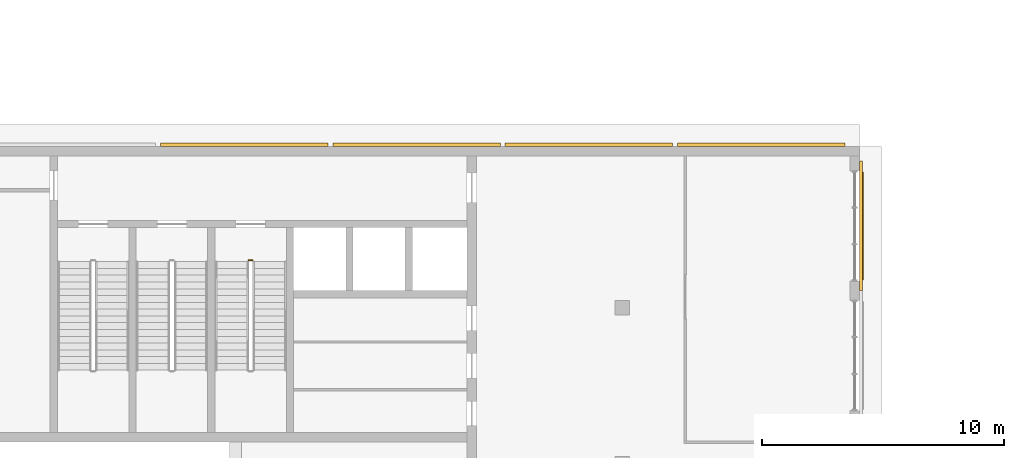
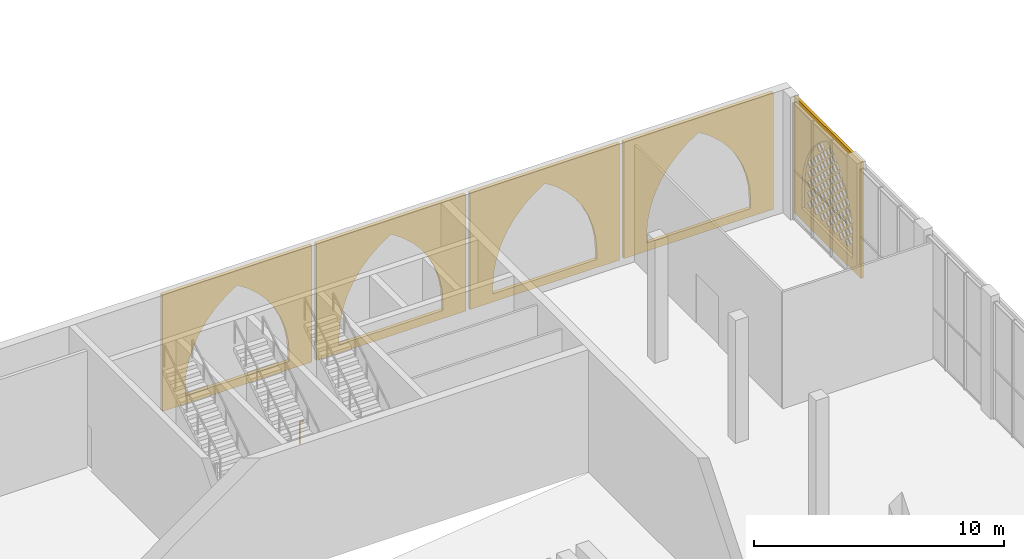
# One storey, part 49 of 74: 6 coverings, 1 railing.
"""IFC4 building model written with IfcOpenShell, lengths in metres."""

from ifc_helpers import new_model, si_unit, direction, frame, origin, origin_2d, place, context, subcontext, project, spatial, polyline, rectangle, outline, extrude, material, layer, layer_set, type_object, element, save


model = new_model("IFC4")

# Units and contexts
model_context = context("Model", 3, precision=1e-05, world=origin(), true_north=direction((0.0, 1.0)))
body_context = subcontext(model_context, "Body", "Model", "MODEL_VIEW")
ifc_project = project(units=[si_unit("LENGTHUNIT", "METRE"), si_unit("AREAUNIT", "SQUARE_METRE"), si_unit("VOLUMEUNIT", "CUBIC_METRE"), si_unit("PLANEANGLEUNIT", "RADIAN"), si_unit("MASSUNIT", "GRAM", prefix="KILO")], contexts=[model_context])

# Site, building, storey
site_placement = place(None, origin())
site = spatial("IfcSite", under=ifc_project, at=site_placement, CompositionType="ELEMENT")
building_placement = place(site_placement, origin())
building = spatial("IfcBuilding", under=site, at=building_placement, Name="Noorbagh Ring Tower", CompositionType="ELEMENT")
storey_placement = place(building_placement, frame((0.0, 0.0, 7.5)))
storey = spatial("IfcBuildingStorey", under=building, at=storey_placement, Name="L01", CompositionType="ELEMENT", Elevation=7.5)

# Coverings
ifc_material_1 = material(Name="Red sandstone cladding", Category="masonry")
ifc_layer_1 = layer(ifc_material_1, 0.14990234375)
ifc_layer_set_1 = layer_set([ifc_layer_1], Name="Red sandstone cladding")
covering_type_1 = type_object("IfcCoveringType", Name="STH-BLIND", PredefinedType="USERDEFINED", material=ifc_layer_set_1)
covering_1_placement = place(storey_placement, frame((-95.60009765625, 31.14990234375, 0.0), z_axis=(0.0, 1.0, 0.0), x_axis=(-1.0, 0.0, 0.0)))
element("IfcCovering", 1, at=covering_1_placement, inside=storey, type_object=covering_type_1, Name="Blind arch bay", ObjectType="ARCH", PredefinedType="USERDEFINED", context=body_context, shape_type="SweptSolid", body=[
    extrude(outline(polyline([(0.0, 0.0), (6.910888671875, 0.0), (6.910888671875, 5.699951171875), (0.0, 5.699951171875), (0.0, 0.0)]), holes=[polyline([(1.0556640625, 0.39990234375), (1.0556640625, 0.800048828125), (1.0966796875, 1.426513671875), (1.21923828125, 2.042236328125), (1.4208984375, 2.636962890625), (1.69873046875, 3.199951171875), (2.047607421875, 3.72216796875), (2.46142578125, 4.194091796875), (2.93359375, 4.608154296875), (3.45556640625, 4.956787109375), (3.977783203125, 4.608154296875), (4.44970703125, 4.194091796875), (4.86376953125, 3.72216796875), (5.21240234375, 3.199951171875), (5.490234375, 2.636962890625), (5.69189453125, 2.042236328125), (5.814453125, 1.426513671875), (5.855712890625, 0.800048828125), (5.855712890625, 0.39990234375), (1.0556640625, 0.39990234375)])]), origin(), (0.0, 0.0, -1.0), 0.14990234375),
])
for number, where, z_axis, x_axis, name in (
    (2, (-102.711181640625, 31.14990234375, 0.0), (0.0, 1.0, 0.0), (-1.0, 0.0, 0.0), "Blind arch bay"),
    (3, (-109.822265625, 31.14990234375, 0.0), (0.0, 1.0, 0.0), (-1.0, 0.0, 0.0), "Blind arch bay"),
    (4, (-116.933349609375, 31.14990234375, 0.0), (0.0, 1.0, 0.0), (-1.0, 0.0, 0.0), "Blind arch bay"),
):
    element("IfcCovering", number, at=place(storey_placement, frame(where, z_axis=z_axis, x_axis=x_axis)), inside=storey, type_object=covering_type_1, Name=name, ObjectType="ARCH", PredefinedType="USERDEFINED", context=body_context, shape_type="SweptSolid", body=[
        extrude(outline(polyline([(0.0, 0.0), (6.9111328125, 0.0), (6.9111328125, 5.699951171875), (0.0, 5.699951171875), (0.0, 0.0)]), holes=[polyline([(1.0556640625, 0.39990234375), (1.0556640625, 0.800048828125), (1.0966796875, 1.426513671875), (1.21923828125, 2.042236328125), (1.4208984375, 2.636962890625), (1.69873046875, 3.199951171875), (2.047607421875, 3.72216796875), (2.46142578125, 4.194091796875), (2.93359375, 4.608154296875), (3.45556640625, 4.956787109375), (3.977783203125, 4.608154296875), (4.44970703125, 4.194091796875), (4.86376953125, 3.72216796875), (5.21240234375, 3.199951171875), (5.490234375, 2.636962890625), (5.69189453125, 2.042236328125), (5.814453125, 1.426513671875), (5.855712890625, 0.800048828125), (5.855712890625, 0.39990234375), (1.0556640625, 0.39990234375)])]), origin(), (0.0, 0.0, -1.0), 0.14990234375),
    ])
ifc_material_2 = material(Name="Red sandstone jali", Category="masonry")
ifc_layer_2 = layer(ifc_material_2, 0.0400390625)
ifc_layer_set_2 = layer_set([ifc_layer_2], Name="Red sandstone jali")
covering_type_2 = type_object("IfcCoveringType", Name="STH-JALI", PredefinedType="USERDEFINED", material=ifc_layer_set_2)
covering_2_placement = place(storey_placement, frame((-94.840087890625, 25.5, 0.39990234375), z_axis=(1.0, 0.0, 0.0), x_axis=(0.0, 1.0, 0.0)))
element("IfcCovering", 5, at=covering_2_placement, inside=storey, type_object=covering_type_2, Name="Jali screen", ObjectType="SCREEN", PredefinedType="USERDEFINED", context=body_context, shape_type="SweptSolid", body=[
    extrude(outline(polyline([(0.0, 0.0), (4.449951171875, 0.0), (4.449951171875, 1.0), (4.411865234375, 1.580810546875), (4.29833984375, 2.15185546875), (4.111328125, 2.702880859375), (3.853759765625, 3.22509765625), (3.530517578125, 3.708984375), (3.146484375, 4.146728515625), (2.708984375, 4.530517578125), (2.22509765625, 4.85400390625), (1.740966796875, 4.530517578125), (1.303466796875, 4.146728515625), (0.919677734375, 3.708984375), (0.59619140625, 3.22509765625), (0.338623046875, 2.702880859375), (0.151611328125, 2.15185546875), (0.0380859375, 1.580810546875), (0.0, 1.0), (0.0, 0.0)]), holes=[polyline([(0.669921875, 0.552001953125), (0.85009765625, 0.371826171875), (1.030029296875, 0.552001953125), (0.85009765625, 0.73193359375), (0.669921875, 0.552001953125)]), polyline([(1.169921875, 0.552001953125), (1.35009765625, 0.371826171875), (1.530029296875, 0.552001953125), (1.35009765625, 0.73193359375), (1.169921875, 0.552001953125)]), polyline([(1.669921875, 0.552001953125), (1.85009765625, 0.371826171875), (2.030029296875, 0.552001953125), (1.85009765625, 0.73193359375), (1.669921875, 0.552001953125)]), polyline([(2.169921875, 0.552001953125), (2.35009765625, 0.371826171875), (2.530029296875, 0.552001953125), (2.35009765625, 0.73193359375), (2.169921875, 0.552001953125)]), polyline([(2.669921875, 0.552001953125), (2.85009765625, 0.371826171875), (3.030029296875, 0.552001953125), (2.85009765625, 0.73193359375), (2.669921875, 0.552001953125)]), polyline([(3.169921875, 0.552001953125), (3.35009765625, 0.371826171875), (3.530029296875, 0.552001953125), (3.35009765625, 0.73193359375), (3.169921875, 0.552001953125)]), polyline([(3.669921875, 0.552001953125), (3.85009765625, 0.371826171875), (4.030029296875, 0.552001953125), (3.85009765625, 0.73193359375), (3.669921875, 0.552001953125)]), polyline([(0.419921875, 0.802001953125), (0.60009765625, 0.621826171875), (0.780029296875, 0.802001953125), (0.60009765625, 0.98193359375), (0.419921875, 0.802001953125)]), polyline([(0.919921875, 0.802001953125), (1.10009765625, 0.621826171875), (1.280029296875, 0.802001953125), (1.10009765625, 0.98193359375), (0.919921875, 0.802001953125)]), polyline([(1.419921875, 0.802001953125), (1.60009765625, 0.621826171875), (1.780029296875, 0.802001953125), (1.60009765625, 0.98193359375), (1.419921875, 0.802001953125)]), polyline([(1.919921875, 0.802001953125), (2.10009765625, 0.621826171875), (2.280029296875, 0.802001953125), (2.10009765625, 0.98193359375), (1.919921875, 0.802001953125)]), polyline([(2.419921875, 0.802001953125), (2.60009765625, 0.621826171875), (2.780029296875, 0.802001953125), (2.60009765625, 0.98193359375), (2.419921875, 0.802001953125)]), polyline([(2.919921875, 0.802001953125), (3.10009765625, 0.621826171875), (3.280029296875, 0.802001953125), (3.10009765625, 0.98193359375), (2.919921875, 0.802001953125)]), polyline([(3.419921875, 0.802001953125), (3.60009765625, 0.621826171875), (3.780029296875, 0.802001953125), (3.60009765625, 0.98193359375), (3.419921875, 0.802001953125)]), polyline([(0.669921875, 1.052001953125), (0.85009765625, 0.871826171875), (1.030029296875, 1.052001953125), (0.85009765625, 1.23193359375), (0.669921875, 1.052001953125)]), polyline([(1.169921875, 1.052001953125), (1.35009765625, 0.871826171875), (1.530029296875, 1.052001953125), (1.35009765625, 1.23193359375), (1.169921875, 1.052001953125)]), polyline([(1.669921875, 1.052001953125), (1.85009765625, 0.871826171875), (2.030029296875, 1.052001953125), (1.85009765625, 1.23193359375), (1.669921875, 1.052001953125)]), polyline([(2.169921875, 1.052001953125), (2.35009765625, 0.871826171875), (2.530029296875, 1.052001953125), (2.35009765625, 1.23193359375), (2.169921875, 1.052001953125)]), polyline([(2.669921875, 1.052001953125), (2.85009765625, 0.871826171875), (3.030029296875, 1.052001953125), (2.85009765625, 1.23193359375), (2.669921875, 1.052001953125)]), polyline([(3.169921875, 1.052001953125), (3.35009765625, 0.871826171875), (3.530029296875, 1.052001953125), (3.35009765625, 1.23193359375), (3.169921875, 1.052001953125)]), polyline([(3.669921875, 1.052001953125), (3.85009765625, 0.871826171875), (4.030029296875, 1.052001953125), (3.85009765625, 1.23193359375), (3.669921875, 1.052001953125)]), polyline([(0.419921875, 1.302001953125), (0.60009765625, 1.121826171875), (0.780029296875, 1.302001953125), (0.60009765625, 1.48193359375), (0.419921875, 1.302001953125)]), polyline([(0.919921875, 1.302001953125), (1.10009765625, 1.121826171875), (1.280029296875, 1.302001953125), (1.10009765625, 1.48193359375), (0.919921875, 1.302001953125)]), polyline([(1.419921875, 1.302001953125), (1.60009765625, 1.121826171875), (1.780029296875, 1.302001953125), (1.60009765625, 1.48193359375), (1.419921875, 1.302001953125)]), polyline([(1.919921875, 1.302001953125), (2.10009765625, 1.121826171875), (2.280029296875, 1.302001953125), (2.10009765625, 1.48193359375), (1.919921875, 1.302001953125)]), polyline([(2.419921875, 1.302001953125), (2.60009765625, 1.121826171875), (2.780029296875, 1.302001953125), (2.60009765625, 1.48193359375), (2.419921875, 1.302001953125)]), polyline([(2.919921875, 1.302001953125), (3.10009765625, 1.121826171875), (3.280029296875, 1.302001953125), (3.10009765625, 1.48193359375), (2.919921875, 1.302001953125)]), polyline([(3.419921875, 1.302001953125), (3.60009765625, 1.121826171875), (3.780029296875, 1.302001953125), (3.60009765625, 1.48193359375), (3.419921875, 1.302001953125)]), polyline([(0.669921875, 1.552001953125), (0.85009765625, 1.371826171875), (1.030029296875, 1.552001953125), (0.85009765625, 1.73193359375), (0.669921875, 1.552001953125)]), polyline([(1.169921875, 1.552001953125), (1.35009765625, 1.371826171875), (1.530029296875, 1.552001953125), (1.35009765625, 1.73193359375), (1.169921875, 1.552001953125)]), polyline([(1.669921875, 1.552001953125), (1.85009765625, 1.371826171875), (2.030029296875, 1.552001953125), (1.85009765625, 1.73193359375), (1.669921875, 1.552001953125)]), polyline([(2.169921875, 1.552001953125), (2.35009765625, 1.371826171875), (2.530029296875, 1.552001953125), (2.35009765625, 1.73193359375), (2.169921875, 1.552001953125)]), polyline([(2.669921875, 1.552001953125), (2.85009765625, 1.371826171875), (3.030029296875, 1.552001953125), (2.85009765625, 1.73193359375), (2.669921875, 1.552001953125)]), polyline([(3.169921875, 1.552001953125), (3.35009765625, 1.371826171875), (3.530029296875, 1.552001953125), (3.35009765625, 1.73193359375), (3.169921875, 1.552001953125)]), polyline([(3.669921875, 1.552001953125), (3.85009765625, 1.371826171875), (4.030029296875, 1.552001953125), (3.85009765625, 1.73193359375), (3.669921875, 1.552001953125)]), polyline([(0.419921875, 1.802001953125), (0.60009765625, 1.621826171875), (0.780029296875, 1.802001953125), (0.60009765625, 1.98193359375), (0.419921875, 1.802001953125)]), polyline([(0.919921875, 1.802001953125), (1.10009765625, 1.621826171875), (1.280029296875, 1.802001953125), (1.10009765625, 1.98193359375), (0.919921875, 1.802001953125)]), polyline([(1.419921875, 1.802001953125), (1.60009765625, 1.621826171875), (1.780029296875, 1.802001953125), (1.60009765625, 1.98193359375), (1.419921875, 1.802001953125)]), polyline([(1.919921875, 1.802001953125), (2.10009765625, 1.621826171875), (2.280029296875, 1.802001953125), (2.10009765625, 1.98193359375), (1.919921875, 1.802001953125)]), polyline([(2.419921875, 1.802001953125), (2.60009765625, 1.621826171875), (2.780029296875, 1.802001953125), (2.60009765625, 1.98193359375), (2.419921875, 1.802001953125)]), polyline([(2.919921875, 1.802001953125), (3.10009765625, 1.621826171875), (3.280029296875, 1.802001953125), (3.10009765625, 1.98193359375), (2.919921875, 1.802001953125)]), polyline([(3.419921875, 1.802001953125), (3.60009765625, 1.621826171875), (3.780029296875, 1.802001953125), (3.60009765625, 1.98193359375), (3.419921875, 1.802001953125)]), polyline([(0.669921875, 2.052001953125), (0.85009765625, 1.871826171875), (1.030029296875, 2.052001953125), (0.85009765625, 2.23193359375), (0.669921875, 2.052001953125)]), polyline([(1.169921875, 2.052001953125), (1.35009765625, 1.871826171875), (1.530029296875, 2.052001953125), (1.35009765625, 2.23193359375), (1.169921875, 2.052001953125)]), polyline([(1.669921875, 2.052001953125), (1.85009765625, 1.871826171875), (2.030029296875, 2.052001953125), (1.85009765625, 2.23193359375), (1.669921875, 2.052001953125)]), polyline([(2.169921875, 2.052001953125), (2.35009765625, 1.871826171875), (2.530029296875, 2.052001953125), (2.35009765625, 2.23193359375), (2.169921875, 2.052001953125)]), polyline([(2.669921875, 2.052001953125), (2.85009765625, 1.871826171875), (3.030029296875, 2.052001953125), (2.85009765625, 2.23193359375), (2.669921875, 2.052001953125)]), polyline([(3.169921875, 2.052001953125), (3.35009765625, 1.871826171875), (3.530029296875, 2.052001953125), (3.35009765625, 2.23193359375), (3.169921875, 2.052001953125)]), polyline([(3.669921875, 2.052001953125), (3.85009765625, 1.871826171875), (4.030029296875, 2.052001953125), (3.85009765625, 2.23193359375), (3.669921875, 2.052001953125)]), polyline([(0.419921875, 2.302001953125), (0.60009765625, 2.121826171875), (0.780029296875, 2.302001953125), (0.60009765625, 2.48193359375), (0.419921875, 2.302001953125)]), polyline([(0.919921875, 2.302001953125), (1.10009765625, 2.121826171875), (1.280029296875, 2.302001953125), (1.10009765625, 2.48193359375), (0.919921875, 2.302001953125)]), polyline([(1.419921875, 2.302001953125), (1.60009765625, 2.121826171875), (1.780029296875, 2.302001953125), (1.60009765625, 2.48193359375), (1.419921875, 2.302001953125)]), polyline([(1.919921875, 2.302001953125), (2.10009765625, 2.121826171875), (2.280029296875, 2.302001953125), (2.10009765625, 2.48193359375), (1.919921875, 2.302001953125)]), polyline([(2.419921875, 2.302001953125), (2.60009765625, 2.121826171875), (2.780029296875, 2.302001953125), (2.60009765625, 2.48193359375), (2.419921875, 2.302001953125)]), polyline([(2.919921875, 2.302001953125), (3.10009765625, 2.121826171875), (3.280029296875, 2.302001953125), (3.10009765625, 2.48193359375), (2.919921875, 2.302001953125)]), polyline([(3.419921875, 2.302001953125), (3.60009765625, 2.121826171875), (3.780029296875, 2.302001953125), (3.60009765625, 2.48193359375), (3.419921875, 2.302001953125)]), polyline([(0.669921875, 2.552001953125), (0.85009765625, 2.371826171875), (1.030029296875, 2.552001953125), (0.85009765625, 2.73193359375), (0.669921875, 2.552001953125)]), polyline([(1.169921875, 2.552001953125), (1.35009765625, 2.371826171875), (1.530029296875, 2.552001953125), (1.35009765625, 2.73193359375), (1.169921875, 2.552001953125)]), polyline([(1.669921875, 2.552001953125), (1.85009765625, 2.371826171875), (2.030029296875, 2.552001953125), (1.85009765625, 2.73193359375), (1.669921875, 2.552001953125)]), polyline([(2.169921875, 2.552001953125), (2.35009765625, 2.371826171875), (2.530029296875, 2.552001953125), (2.35009765625, 2.73193359375), (2.169921875, 2.552001953125)]), polyline([(2.669921875, 2.552001953125), (2.85009765625, 2.371826171875), (3.030029296875, 2.552001953125), (2.85009765625, 2.73193359375), (2.669921875, 2.552001953125)]), polyline([(3.169921875, 2.552001953125), (3.35009765625, 2.371826171875), (3.530029296875, 2.552001953125), (3.35009765625, 2.73193359375), (3.169921875, 2.552001953125)]), polyline([(3.669921875, 2.552001953125), (3.85009765625, 2.371826171875), (4.030029296875, 2.552001953125), (3.85009765625, 2.73193359375), (3.669921875, 2.552001953125)]), polyline([(0.919921875, 2.802001953125), (1.10009765625, 2.621826171875), (1.280029296875, 2.802001953125), (1.10009765625, 2.98193359375), (0.919921875, 2.802001953125)]), polyline([(1.419921875, 2.802001953125), (1.60009765625, 2.621826171875), (1.780029296875, 2.802001953125), (1.60009765625, 2.98193359375), (1.419921875, 2.802001953125)]), polyline([(1.919921875, 2.802001953125), (2.10009765625, 2.621826171875), (2.280029296875, 2.802001953125), (2.10009765625, 2.98193359375), (1.919921875, 2.802001953125)]), polyline([(2.419921875, 2.802001953125), (2.60009765625, 2.621826171875), (2.780029296875, 2.802001953125), (2.60009765625, 2.98193359375), (2.419921875, 2.802001953125)]), polyline([(2.919921875, 2.802001953125), (3.10009765625, 2.621826171875), (3.280029296875, 2.802001953125), (3.10009765625, 2.98193359375), (2.919921875, 2.802001953125)]), polyline([(3.419921875, 2.802001953125), (3.60009765625, 2.621826171875), (3.780029296875, 2.802001953125), (3.60009765625, 2.98193359375), (3.419921875, 2.802001953125)]), polyline([(0.669921875, 3.052001953125), (0.85009765625, 2.871826171875), (1.030029296875, 3.052001953125), (0.85009765625, 3.23193359375), (0.669921875, 3.052001953125)]), polyline([(1.169921875, 3.052001953125), (1.35009765625, 2.871826171875), (1.530029296875, 3.052001953125), (1.35009765625, 3.23193359375), (1.169921875, 3.052001953125)]), polyline([(1.669921875, 3.052001953125), (1.85009765625, 2.871826171875), (2.030029296875, 3.052001953125), (1.85009765625, 3.23193359375), (1.669921875, 3.052001953125)]), polyline([(2.169921875, 3.052001953125), (2.35009765625, 2.871826171875), (2.530029296875, 3.052001953125), (2.35009765625, 3.23193359375), (2.169921875, 3.052001953125)]), polyline([(2.669921875, 3.052001953125), (2.85009765625, 2.871826171875), (3.030029296875, 3.052001953125), (2.85009765625, 3.23193359375), (2.669921875, 3.052001953125)]), polyline([(3.169921875, 3.052001953125), (3.35009765625, 2.871826171875), (3.530029296875, 3.052001953125), (3.35009765625, 3.23193359375), (3.169921875, 3.052001953125)]), polyline([(0.919921875, 3.302001953125), (1.10009765625, 3.121826171875), (1.280029296875, 3.302001953125), (1.10009765625, 3.48193359375), (0.919921875, 3.302001953125)]), polyline([(1.419921875, 3.302001953125), (1.60009765625, 3.121826171875), (1.780029296875, 3.302001953125), (1.60009765625, 3.48193359375), (1.419921875, 3.302001953125)]), polyline([(1.919921875, 3.302001953125), (2.10009765625, 3.121826171875), (2.280029296875, 3.302001953125), (2.10009765625, 3.48193359375), (1.919921875, 3.302001953125)]), polyline([(2.419921875, 3.302001953125), (2.60009765625, 3.121826171875), (2.780029296875, 3.302001953125), (2.60009765625, 3.48193359375), (2.419921875, 3.302001953125)]), polyline([(2.919921875, 3.302001953125), (3.10009765625, 3.121826171875), (3.280029296875, 3.302001953125), (3.10009765625, 3.48193359375), (2.919921875, 3.302001953125)]), polyline([(1.169921875, 3.552001953125), (1.35009765625, 3.371826171875), (1.530029296875, 3.552001953125), (1.35009765625, 3.73193359375), (1.169921875, 3.552001953125)]), polyline([(1.669921875, 3.552001953125), (1.85009765625, 3.371826171875), (2.030029296875, 3.552001953125), (1.85009765625, 3.73193359375), (1.669921875, 3.552001953125)]), polyline([(2.169921875, 3.552001953125), (2.35009765625, 3.371826171875), (2.530029296875, 3.552001953125), (2.35009765625, 3.73193359375), (2.169921875, 3.552001953125)]), polyline([(2.669921875, 3.552001953125), (2.85009765625, 3.371826171875), (3.030029296875, 3.552001953125), (2.85009765625, 3.73193359375), (2.669921875, 3.552001953125)]), polyline([(1.419921875, 3.802001953125), (1.60009765625, 3.621826171875), (1.780029296875, 3.802001953125), (1.60009765625, 3.98193359375), (1.419921875, 3.802001953125)]), polyline([(1.919921875, 3.802001953125), (2.10009765625, 3.621826171875), (2.280029296875, 3.802001953125), (2.10009765625, 3.98193359375), (1.919921875, 3.802001953125)]), polyline([(2.419921875, 3.802001953125), (2.60009765625, 3.621826171875), (2.780029296875, 3.802001953125), (2.60009765625, 3.98193359375), (2.419921875, 3.802001953125)]), polyline([(2.919921875, 3.802001953125), (3.10009765625, 3.621826171875), (3.280029296875, 3.802001953125), (3.10009765625, 3.98193359375), (2.919921875, 3.802001953125)]), polyline([(1.669921875, 4.052001953125), (1.85009765625, 3.871826171875), (2.030029296875, 4.052001953125), (1.85009765625, 4.23193359375), (1.669921875, 4.052001953125)]), polyline([(2.169921875, 4.052001953125), (2.35009765625, 3.871826171875), (2.530029296875, 4.052001953125), (2.35009765625, 4.23193359375), (2.169921875, 4.052001953125)]), polyline([(2.669921875, 4.052001953125), (2.85009765625, 3.871826171875), (3.030029296875, 4.052001953125), (2.85009765625, 4.23193359375), (2.669921875, 4.052001953125)]), polyline([(1.919921875, 4.302001953125), (2.10009765625, 4.121826171875), (2.280029296875, 4.302001953125), (2.10009765625, 4.48193359375), (1.919921875, 4.302001953125)])]), origin(), (0.0, 0.0, -1.0), 0.0400390625),
])
ifc_material_3 = material(Name="Red sandstone cladding", Category="masonry")
ifc_layer_3 = layer(ifc_material_3, 0.1201171875)
ifc_layer_set_3 = layer_set([ifc_layer_3], Name="Red sandstone cladding")
covering_type_3 = type_object("IfcCoveringType", Name="STH-SPANDREL", PredefinedType="USERDEFINED", material=ifc_layer_set_3)
covering_3_placement = place(storey_placement, frame((-94.8798828125, 25.050048828125, 0.0), z_axis=(1.0, 0.0, 0.0), x_axis=(0.0, 1.0, 0.0)))
element("IfcCovering", 6, at=covering_3_placement, inside=storey, type_object=covering_type_3, Name="Arch spandrel", ObjectType="ARCH", PredefinedType="USERDEFINED", context=body_context, shape_type="SweptSolid", body=[
    extrude(outline(polyline([(0.0, 0.0), (5.349853515625, 0.0), (5.349853515625, 5.699951171875), (0.0, 5.699951171875), (0.0, 0.0)]), holes=[polyline([(0.64990234375, 0.60009765625), (0.64990234375, 1.60009765625), (0.6845703125, 2.128662109375), (0.7880859375, 2.648193359375), (0.958251953125, 3.14990234375), (1.192626953125, 3.625), (1.48681640625, 4.0654296875), (1.836181640625, 4.4638671875), (2.234619140625, 4.81298828125), (2.675048828125, 5.107421875), (3.115478515625, 4.81298828125), (3.513916015625, 4.4638671875), (3.863037109375, 4.0654296875), (4.157470703125, 3.625), (4.3916015625, 3.14990234375), (4.56201171875, 2.648193359375), (4.665283203125, 2.128662109375), (4.699951171875, 1.60009765625), (4.699951171875, 0.60009765625), (0.64990234375, 0.60009765625)])]), origin(), (0.0, 0.0, -1.0), 0.1201171875),
])

# Railing
ifc_material_4 = material(Name="Stainless steel", Category="steel")
railing_type = type_object("IfcRailingType", Name="TH-STAIR-GUARD", PredefinedType="GUARDRAIL", material=ifc_material_4)
railing_placement = place(storey_placement, frame((-120.199951171875, 26.300048828125, 0.0)))
element("IfcRailing", 7, at=railing_placement, inside=storey, type_object=railing_type, Name="L01 TSN2 stair guard 4", PredefinedType="GUARDRAIL", context=body_context, shape_type="SweptSolid", body=[
    extrude(rectangle(XDim=0.048095703125, YDim=0.048095703125, at=origin_2d()), frame((0.0, 0.0, 1.076171875), z_axis=(1.0, 0.0, 0.0), x_axis=(0.0, 1.0, 0.0)), (0.0, 0.0, 1.0), 0.14990234375),
    extrude(rectangle(XDim=0.0419921875, YDim=0.0419921875, at=origin_2d()), origin(), (0.0, 0.0, 1.0), 1.052001953125),
])

save(model, "model.ifc")
